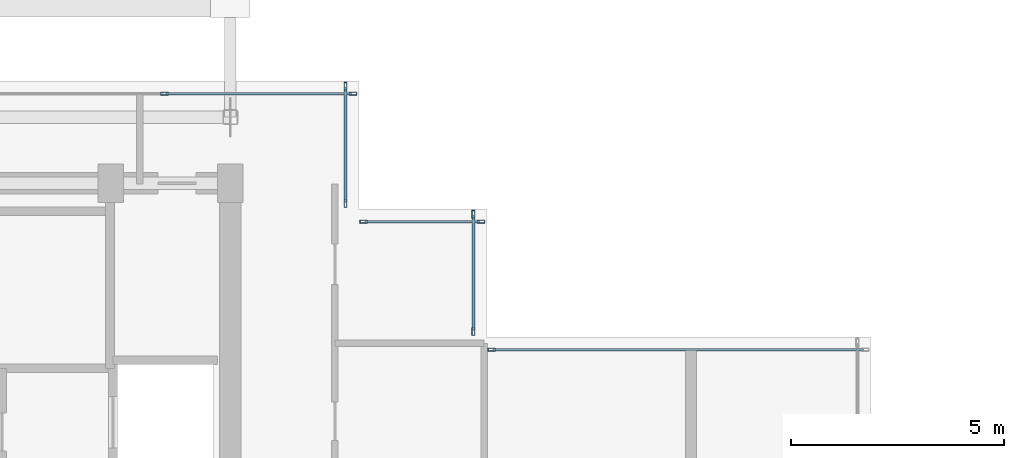
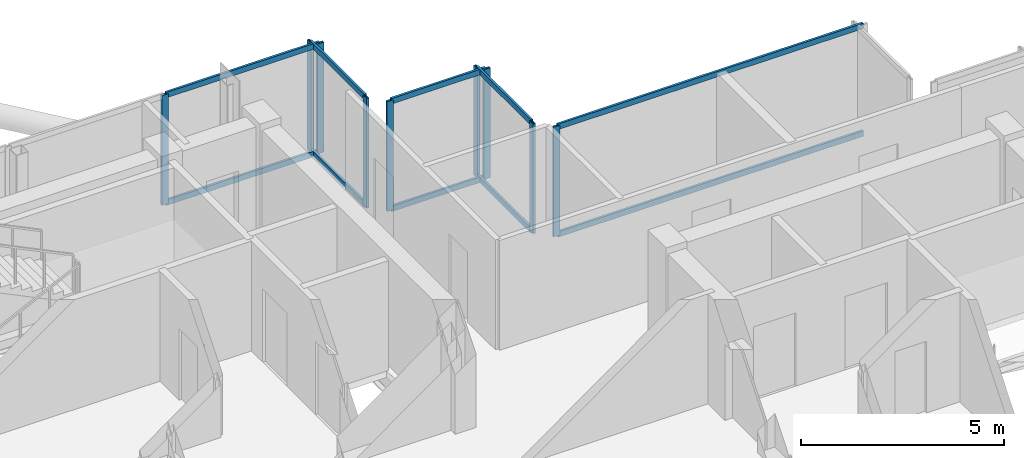
# One storey, part 11 of 19: 19 members, 5 elements without a shape of their own.
"""IFC4 building model written with IfcOpenShell, lengths in metres."""

from ifc_helpers import new_model, si_unit, direction, frame, origin, origin_2d, place, context, subcontext, project, spatial, hollow_rectangle, extrude, material, layer, layer_set, material_profile, profile_set, type_object, element, aggregate, save


model = new_model("IFC4")

# Units and contexts
model_context = context("Model", 3, precision=1e-05, world=origin(), true_north=direction((0.0, 1.0)))
body_context = subcontext(model_context, "Body", "Model", "MODEL_VIEW")
ifc_project = project(units=[si_unit("LENGTHUNIT", "METRE"), si_unit("AREAUNIT", "SQUARE_METRE"), si_unit("VOLUMEUNIT", "CUBIC_METRE"), si_unit("PLANEANGLEUNIT", "RADIAN"), si_unit("MASSUNIT", "GRAM", prefix="KILO"), si_unit("THERMODYNAMICTEMPERATUREUNIT", "KELVIN"), si_unit("POWERUNIT", "WATT")], contexts=[model_context])

# Site, building, storey
site_placement = place(None, origin())
site = spatial("IfcSite", under=ifc_project, at=site_placement, CompositionType="ELEMENT")
building_placement = place(site_placement, origin())
building = spatial("IfcBuilding", under=site, at=building_placement, Name="Svarakhadi Broadcast Tower", CompositionType="ELEMENT")
storey_placement = place(building_placement, frame((0.0, 0.0, 285.199951171875)))
storey = spatial("IfcBuildingStorey", under=building, at=storey_placement, Name="L72", CompositionType="ELEMENT", Elevation=285.199951171875)

# Curtain wall, members
ifc_material = material(Name="Anodised Bronze Aluminium AA 6063-T6", Category="aluminium")
ifc_layer = layer(ifc_material, 0.179931640625)
ifc_layer_set = layer_set([ifc_layer], Name="Anodised Bronze Aluminium AA 6063-T6")
curtain_wall_type = type_object("IfcCurtainWallType", Name="CW_Sys_05", PredefinedType="NOTDEFINED", material=ifc_layer_set)
curtain_wall_1_placement = place(storey_placement, origin())
curtain_wall_1 = element("IfcCurtainWall", 1, at=curtain_wall_1_placement, inside=storey, type_object=curtain_wall_type, Name="L72 Unitised Facade Curtain Wall 05", PredefinedType="NOTDEFINED")
ifc_material_profile_1 = material_profile(ifc_material, hollow_rectangle(XDim=0.070068359375, YDim=0.179931640625, WallThickness=0.005615234375, at=origin_2d()), Name="ALU MULLION 180x70x6")
ifc_profile_set_1 = profile_set([ifc_material_profile_1], Name="Anodised Bronze Aluminium AA 6063-T6")
member_type_1 = type_object("IfcMemberType", Name="CW_Sys_05_Mul", PredefinedType="MULLION", material=ifc_profile_set_1)
member_1_placement = place(storey_placement, frame((16.455078125, 29.699951171875, 0.0), z_axis=(0.0, 0.0, 1.0), x_axis=(0.0, 1.0, 0.0)))
member_1 = element("IfcMember", 2, at=member_1_placement, type_object=member_type_1, Name="CW-05 mullion 4", PredefinedType="MULLION", context=body_context, shape_type="SweptSolid", body=[
    extrude(hollow_rectangle(XDim=0.070068359375, YDim=0.179931640625, WallThickness=0.005615234375, at=origin_2d()), origin(), (0.0, 0.0, 1.0), 3.300048828125),
])
member_2_placement = place(storey_placement, frame((20.875, 29.699951171875, 0.0), z_axis=(0.0, 0.0, 1.0), x_axis=(0.0, 1.0, 0.0)))
member_2 = element("IfcMember", 3, at=member_2_placement, type_object=member_type_1, Name="CW-05 mullion 5", PredefinedType="MULLION", context=body_context, shape_type="SweptSolid", body=[
    extrude(hollow_rectangle(XDim=0.070068359375, YDim=0.179931640625, WallThickness=0.005615234375, at=origin_2d()), origin(), (0.0, 0.0, 1.0), 3.300048828125),
])

curtain_wall_2_placement = place(storey_placement, origin())
curtain_wall_2 = element("IfcCurtainWall", 4, at=curtain_wall_2_placement, inside=storey, type_object=curtain_wall_type, Name="L72 Unitised Facade Curtain Wall 06", PredefinedType="NOTDEFINED")
member_3_placement = place(storey_placement, frame((20.699951171875, 29.875, 0.0), z_axis=(0.0, 0.0, 1.0), x_axis=(1.0, 0.0, 0.0)))
member_3 = element("IfcMember", 5, at=member_3_placement, type_object=member_type_1, Name="CW-05 mullion 1", PredefinedType="MULLION", context=body_context, shape_type="SweptSolid", body=[
    extrude(hollow_rectangle(XDim=0.070068359375, YDim=0.179931640625, WallThickness=0.005615234375, at=origin_2d()), origin(), (0.0, 0.0, 1.0), 3.300048828125),
])
member_4_placement = place(storey_placement, frame((20.699951171875, 27.125, 0.0), z_axis=(0.0, 0.0, 1.0), x_axis=(1.0, 0.0, 0.0)))
member_4 = element("IfcMember", 6, at=member_4_placement, type_object=member_type_1, Name="CW-05 mullion 2", PredefinedType="MULLION", context=body_context, shape_type="SweptSolid", body=[
    extrude(hollow_rectangle(XDim=0.070068359375, YDim=0.179931640625, WallThickness=0.005615234375, at=origin_2d()), origin(), (0.0, 0.0, 1.0), 3.300048828125),
])

curtain_wall_3_placement = place(storey_placement, origin())
curtain_wall_3 = element("IfcCurtainWall", 7, at=curtain_wall_3_placement, inside=storey, type_object=curtain_wall_type, Name="L72 Unitised Facade Curtain Wall 07", PredefinedType="NOTDEFINED")
member_5_placement = place(storey_placement, frame((21.125, 26.699951171875, 0.0), z_axis=(0.0, 0.0, 1.0), x_axis=(0.0, 1.0, 0.0)))
member_5 = element("IfcMember", 8, at=member_5_placement, type_object=member_type_1, Name="CW-05 mullion 1", PredefinedType="MULLION", context=body_context, shape_type="SweptSolid", body=[
    extrude(hollow_rectangle(XDim=0.070068359375, YDim=0.179931640625, WallThickness=0.005615234375, at=origin_2d()), origin(), (0.0, 0.0, 1.0), 3.300048828125),
])
member_6_placement = place(storey_placement, frame((23.875, 26.699951171875, 0.0), z_axis=(0.0, 0.0, 1.0), x_axis=(0.0, 1.0, 0.0)))
member_6 = element("IfcMember", 9, at=member_6_placement, type_object=member_type_1, Name="CW-05 mullion 2", PredefinedType="MULLION", context=body_context, shape_type="SweptSolid", body=[
    extrude(hollow_rectangle(XDim=0.070068359375, YDim=0.179931640625, WallThickness=0.005615234375, at=origin_2d()), origin(), (0.0, 0.0, 1.0), 3.300048828125),
])

curtain_wall_4_placement = place(storey_placement, origin())
curtain_wall_4 = element("IfcCurtainWall", 10, at=curtain_wall_4_placement, inside=storey, type_object=curtain_wall_type, Name="L72 Unitised Facade Curtain Wall 08", PredefinedType="NOTDEFINED")
member_7_placement = place(storey_placement, frame((23.699951171875, 26.875, 0.0), z_axis=(0.0, 0.0, 1.0), x_axis=(1.0, 0.0, 0.0)))
member_7 = element("IfcMember", 11, at=member_7_placement, type_object=member_type_1, Name="CW-05 mullion 1", PredefinedType="MULLION", context=body_context, shape_type="SweptSolid", body=[
    extrude(hollow_rectangle(XDim=0.070068359375, YDim=0.179931640625, WallThickness=0.005615234375, at=origin_2d()), origin(), (0.0, 0.0, 1.0), 3.300048828125),
])
member_8_placement = place(storey_placement, frame((23.699951171875, 24.125, 0.0), z_axis=(0.0, 0.0, 1.0), x_axis=(1.0, 0.0, 0.0)))
member_8 = element("IfcMember", 12, at=member_8_placement, type_object=member_type_1, Name="CW-05 mullion 2", PredefinedType="MULLION", context=body_context, shape_type="SweptSolid", body=[
    extrude(hollow_rectangle(XDim=0.070068359375, YDim=0.179931640625, WallThickness=0.005615234375, at=origin_2d()), origin(), (0.0, 0.0, 1.0), 3.300048828125),
])

# Curtain wall, member
curtain_wall_5_placement = place(storey_placement, origin())
curtain_wall_5 = element("IfcCurtainWall", 13, at=curtain_wall_5_placement, inside=storey, type_object=curtain_wall_type, Name="L72 Unitised Facade Curtain Wall 09", PredefinedType="NOTDEFINED")
member_9_placement = place(storey_placement, frame((24.125, 23.699951171875, 0.0), z_axis=(0.0, 0.0, 1.0), x_axis=(0.0, 1.0, 0.0)))
member_9 = element("IfcMember", 14, at=member_9_placement, type_object=member_type_1, Name="CW-05 mullion 1", PredefinedType="MULLION", context=body_context, shape_type="SweptSolid", body=[
    extrude(hollow_rectangle(XDim=0.070068359375, YDim=0.179931640625, WallThickness=0.005615234375, at=origin_2d()), origin(), (0.0, 0.0, 1.0), 3.300048828125),
])

# Member
ifc_material_profile_2 = material_profile(ifc_material, hollow_rectangle(XDim=0.06494140625, YDim=0.1650390625, WallThickness=0.0048828125, at=origin_2d()), Name="ALU TRANSOM 165x65x5")
ifc_profile_set_2 = profile_set([ifc_material_profile_2], Name="Anodised Bronze Aluminium AA 6063-T6")
member_type_2 = type_object("IfcMemberType", Name="CW_Sys_05_Trn", PredefinedType="USERDEFINED", material=ifc_profile_set_2)
member_10_placement = place(storey_placement, frame((16.489990234375, 29.699951171875, 0.032470703125), z_axis=(1.0, 0.0, 0.0), x_axis=(0.0, 1.0, 0.0)))
member_10 = element("IfcMember", 15, at=member_10_placement, type_object=member_type_2, Name="CW-05 transom 4.1", ObjectType="TRANSOM", PredefinedType="USERDEFINED", context=body_context, shape_type="SweptSolid", body=[
    extrude(hollow_rectangle(XDim=0.06494140625, YDim=0.1650390625, WallThickness=0.0048828125, at=origin_2d()), origin(), (0.0, 0.0, 1.0), 4.35009765625),
])

member_11_placement = place(storey_placement, frame((16.489990234375, 29.699951171875, 3.267578125), z_axis=(1.0, 0.0, 0.0), x_axis=(0.0, 1.0, 0.0)))
member_11 = element("IfcMember", 16, at=member_11_placement, type_object=member_type_2, Name="CW-05 transom 4.2", ObjectType="TRANSOM", PredefinedType="USERDEFINED", context=body_context, shape_type="SweptSolid", body=[
    extrude(hollow_rectangle(XDim=0.06494140625, YDim=0.1650390625, WallThickness=0.0048828125, at=origin_2d()), origin(), (0.0, 0.0, 1.0), 4.35009765625),
])

aggregate(curtain_wall_1, [member_1, member_2, member_10, member_11])

member_12_placement = place(storey_placement, frame((20.699951171875, 29.840087890625, 0.032470703125), z_axis=(0.0, -1.0, 0.0), x_axis=(1.0, 0.0, 0.0)))
member_12 = element("IfcMember", 17, at=member_12_placement, type_object=member_type_2, Name="CW-05 transom 1.1", ObjectType="TRANSOM", PredefinedType="USERDEFINED", context=body_context, shape_type="SweptSolid", body=[
    extrude(hollow_rectangle(XDim=0.06494140625, YDim=0.1650390625, WallThickness=0.0048828125, at=origin_2d()), origin(), (0.0, 0.0, 1.0), 2.68017578125),
])

member_13_placement = place(storey_placement, frame((20.699951171875, 29.840087890625, 3.267578125), z_axis=(0.0, -1.0, 0.0), x_axis=(1.0, 0.0, 0.0)))
member_13 = element("IfcMember", 18, at=member_13_placement, type_object=member_type_2, Name="CW-05 transom 1.2", ObjectType="TRANSOM", PredefinedType="USERDEFINED", context=body_context, shape_type="SweptSolid", body=[
    extrude(hollow_rectangle(XDim=0.06494140625, YDim=0.1650390625, WallThickness=0.0048828125, at=origin_2d()), origin(), (0.0, 0.0, 1.0), 2.68017578125),
])

aggregate(curtain_wall_2, [member_3, member_4, member_12, member_13])

member_14_placement = place(storey_placement, frame((21.159912109375, 26.699951171875, 0.032470703125), z_axis=(1.0, 0.0, 0.0), x_axis=(0.0, 1.0, 0.0)))
member_14 = element("IfcMember", 19, at=member_14_placement, type_object=member_type_2, Name="CW-05 transom 1.1", ObjectType="TRANSOM", PredefinedType="USERDEFINED", context=body_context, shape_type="SweptSolid", body=[
    extrude(hollow_rectangle(XDim=0.06494140625, YDim=0.1650390625, WallThickness=0.0048828125, at=origin_2d()), origin(), (0.0, 0.0, 1.0), 2.68017578125),
])

member_15_placement = place(storey_placement, frame((21.159912109375, 26.699951171875, 3.267578125), z_axis=(1.0, 0.0, 0.0), x_axis=(0.0, 1.0, 0.0)))
member_15 = element("IfcMember", 20, at=member_15_placement, type_object=member_type_2, Name="CW-05 transom 1.2", ObjectType="TRANSOM", PredefinedType="USERDEFINED", context=body_context, shape_type="SweptSolid", body=[
    extrude(hollow_rectangle(XDim=0.06494140625, YDim=0.1650390625, WallThickness=0.0048828125, at=origin_2d()), origin(), (0.0, 0.0, 1.0), 2.68017578125),
])

aggregate(curtain_wall_3, [member_5, member_6, member_14, member_15])

member_16_placement = place(storey_placement, frame((23.699951171875, 26.840087890625, 0.032470703125), z_axis=(0.0, -1.0, 0.0), x_axis=(1.0, 0.0, 0.0)))
member_16 = element("IfcMember", 21, at=member_16_placement, type_object=member_type_2, Name="CW-05 transom 1.1", ObjectType="TRANSOM", PredefinedType="USERDEFINED", context=body_context, shape_type="SweptSolid", body=[
    extrude(hollow_rectangle(XDim=0.06494140625, YDim=0.1650390625, WallThickness=0.0048828125, at=origin_2d()), origin(), (0.0, 0.0, 1.0), 2.68017578125),
])

member_17_placement = place(storey_placement, frame((23.699951171875, 26.840087890625, 3.267578125), z_axis=(0.0, -1.0, 0.0), x_axis=(1.0, 0.0, 0.0)))
member_17 = element("IfcMember", 22, at=member_17_placement, type_object=member_type_2, Name="CW-05 transom 1.2", ObjectType="TRANSOM", PredefinedType="USERDEFINED", context=body_context, shape_type="SweptSolid", body=[
    extrude(hollow_rectangle(XDim=0.06494140625, YDim=0.1650390625, WallThickness=0.0048828125, at=origin_2d()), origin(), (0.0, 0.0, 1.0), 2.68017578125),
])

aggregate(curtain_wall_4, [member_7, member_8, member_16, member_17])

member_18_placement = place(storey_placement, frame((24.159912109375, 23.699951171875, 0.032470703125), z_axis=(1.0, 0.0, 0.0), x_axis=(0.0, 1.0, 0.0)))
member_18 = element("IfcMember", 23, at=member_18_placement, type_object=member_type_2, Name="CW-05 transom 1.1", ObjectType="TRANSOM", PredefinedType="USERDEFINED", context=body_context, shape_type="SweptSolid", body=[
    extrude(hollow_rectangle(XDim=0.06494140625, YDim=0.1650390625, WallThickness=0.0048828125, at=origin_2d()), origin(), (0.0, 0.0, 1.0), 8.68017578125),
])

member_19_placement = place(storey_placement, frame((24.159912109375, 23.699951171875, 3.267578125), z_axis=(1.0, 0.0, 0.0), x_axis=(0.0, 1.0, 0.0)))
member_19 = element("IfcMember", 24, at=member_19_placement, type_object=member_type_2, Name="CW-05 transom 1.2", ObjectType="TRANSOM", PredefinedType="USERDEFINED", context=body_context, shape_type="SweptSolid", body=[
    extrude(hollow_rectangle(XDim=0.06494140625, YDim=0.1650390625, WallThickness=0.0048828125, at=origin_2d()), origin(), (0.0, 0.0, 1.0), 8.68017578125),
])

aggregate(curtain_wall_5, [member_9, member_18, member_19])

save(model, "model.ifc")
